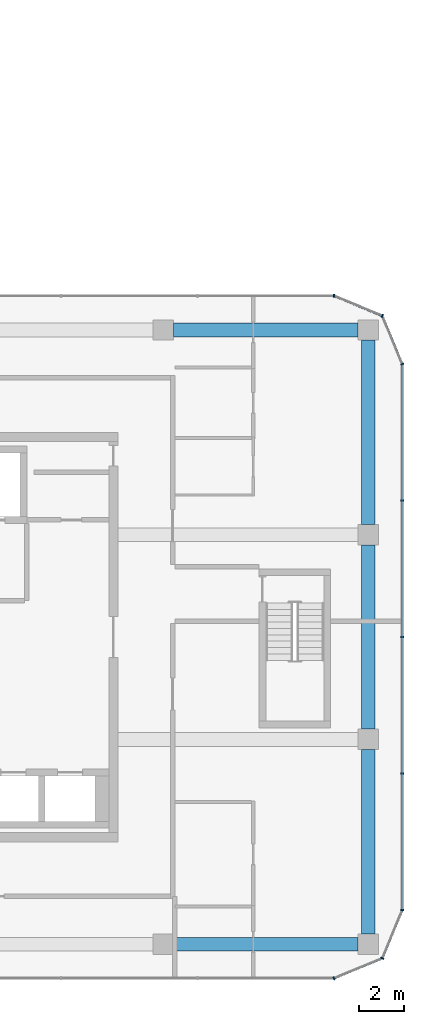
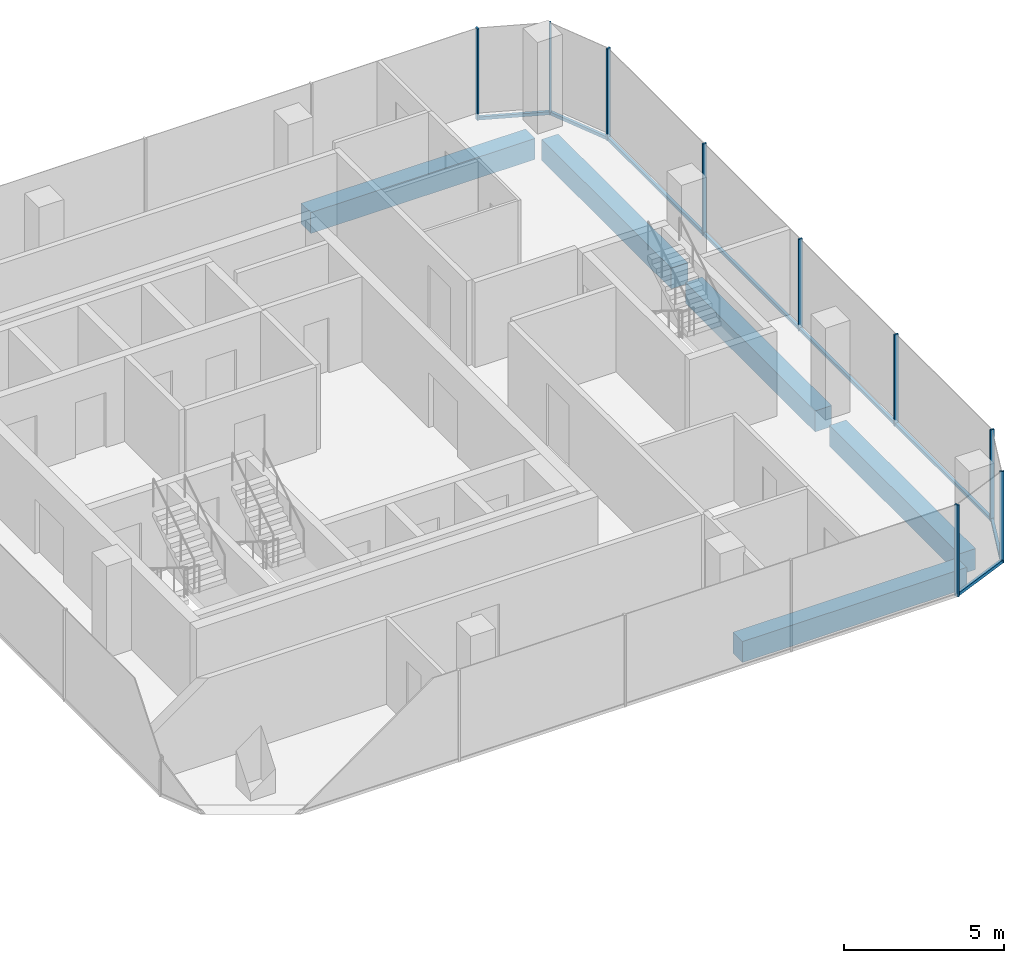
# One storey, part 10 of 23: 14 members, 5 beams, 6 elements without a shape of their own.
"""IFC4 building model written with IfcOpenShell, lengths in metres."""

from ifc_helpers import new_model, si_unit, direction, frame, origin, origin_2d, place, context, subcontext, project, spatial, rectangle, extrude, material, layer, layer_set, material_profile, profile_set, type_object, element, aggregate, save


model = new_model("IFC4")

# Units and contexts
model_context = context("Model", 3, precision=1e-05, world=origin(), true_north=direction((0.0, 1.0)))
body_context = subcontext(model_context, "Body", "Model", "MODEL_VIEW")
ifc_project = project(units=[si_unit("LENGTHUNIT", "METRE"), si_unit("AREAUNIT", "SQUARE_METRE"), si_unit("VOLUMEUNIT", "CUBIC_METRE"), si_unit("PLANEANGLEUNIT", "RADIAN"), si_unit("MASSUNIT", "GRAM", prefix="KILO")], contexts=[model_context])

# Site, building, storey
site_placement = place(None, origin())
site = spatial("IfcSite", under=ifc_project, at=site_placement, CompositionType="ELEMENT")
building_placement = place(site_placement, origin())
building = spatial("IfcBuilding", under=site, at=building_placement, Name="Plateau Cross Towers", CompositionType="ELEMENT")
storey_placement = place(building_placement, frame((0.0, 0.0, 92.300048828125)))
storey = spatial("IfcBuildingStorey", under=building, at=storey_placement, Name="L23", CompositionType="ELEMENT", Elevation=92.300048828125)

# Curtain wall, member
ifc_material_1 = material(Name="Dark low-iron glass", Category="glass")
ifc_layer = layer(ifc_material_1, 0.239990234375)
ifc_layer_set = layer_set([ifc_layer], Name="Dark low-iron glass")
curtain_wall_type = type_object("IfcCurtainWallType", Name="Curtain wall office unitised CW-F", PredefinedType="NOTDEFINED", material=ifc_layer_set)
curtain_wall_1_placement = place(storey_placement, origin())
curtain_wall_1 = element("IfcCurtainWall", 1, at=curtain_wall_1_placement, inside=storey, type_object=curtain_wall_type, Name="ENV/B/L23/B990_-60", PredefinedType="NOTDEFINED")
ifc_material_2 = material(Name="Black anodised aluminium", Category="aluminium")
ifc_material_profile_1 = material_profile(ifc_material_2, rectangle(XDim=0.06005859375, YDim=0.139892578125, at=origin_2d()), Name="MULLION 60x140")
ifc_profile_set_1 = profile_set([ifc_material_profile_1], Name="Black anodised aluminium")
member_type_1 = type_object("IfcMemberType", Name="Mullion 60x140 office unitised", PredefinedType="MULLION", material=ifc_profile_set_1)
member_1_placement = place(storey_placement, frame((99.0, -6.0, -0.25), z_axis=(0.0, 0.0, 1.0), x_axis=(0.923879457699, 0.382683612978, 0.0)))
member_1 = element("IfcMember", 2, at=member_1_placement, type_object=member_type_1, Name="CW-F mullion 1", PredefinedType="MULLION", context=body_context, shape_type="SweptSolid", body=[
    extrude(rectangle(XDim=0.06005859375, YDim=0.139892578125, at=origin_2d()), origin(), (0.0, 0.0, 1.0), 3.5),
])

curtain_wall_2_placement = place(storey_placement, origin())
curtain_wall_2 = element("IfcCurtainWall", 3, at=curtain_wall_2_placement, inside=storey, type_object=curtain_wall_type, Name="ENV/B/L23/B1011_-51", PredefinedType="NOTDEFINED")
member_2_placement = place(storey_placement, frame((101.121337890625, -5.121337890625, -0.25), z_axis=(0.0, 0.0, 1.0), x_axis=(0.382683612978, 0.923879457699, 0.0)))
member_2 = element("IfcMember", 4, at=member_2_placement, type_object=member_type_1, Name="CW-F mullion 1", PredefinedType="MULLION", context=body_context, shape_type="SweptSolid", body=[
    extrude(rectangle(XDim=0.06005859375, YDim=0.139892578125, at=origin_2d()), origin(), (0.0, 0.0, 1.0), 3.5),
])

# Curtain wall, members
curtain_wall_3_placement = place(storey_placement, origin())
curtain_wall_3 = element("IfcCurtainWall", 5, at=curtain_wall_3_placement, inside=storey, type_object=curtain_wall_type, Name="ENV/B/L23/B1020_-30", PredefinedType="NOTDEFINED")
member_3_placement = place(storey_placement, frame((102.0, -3.0, -0.25), z_axis=(0.0, 0.0, 1.0), x_axis=(0.0, 1.0, 0.0)))
member_3 = element("IfcMember", 6, at=member_3_placement, type_object=member_type_1, Name="CW-F mullion 1", PredefinedType="MULLION", context=body_context, shape_type="SweptSolid", body=[
    extrude(rectangle(XDim=0.06005859375, YDim=0.139892578125, at=origin_2d()), origin(), (0.0, 0.0, 1.0), 3.5),
])
member_4_placement = place(storey_placement, frame((102.0, 3.0, -0.25), z_axis=(0.0, 0.0, 1.0), x_axis=(0.0, 1.0, 0.0)))
member_4 = element("IfcMember", 7, at=member_4_placement, type_object=member_type_1, Name="CW-F mullion 2", PredefinedType="MULLION", context=body_context, shape_type="SweptSolid", body=[
    extrude(rectangle(XDim=0.06005859375, YDim=0.139892578125, at=origin_2d()), origin(), (0.0, 0.0, 1.0), 3.5),
])
member_5_placement = place(storey_placement, frame((102.0, 9.0, -0.25), z_axis=(0.0, 0.0, 1.0), x_axis=(0.0, 1.0, 0.0)))
member_5 = element("IfcMember", 8, at=member_5_placement, type_object=member_type_1, Name="CW-F mullion 3", PredefinedType="MULLION", context=body_context, shape_type="SweptSolid", body=[
    extrude(rectangle(XDim=0.06005859375, YDim=0.139892578125, at=origin_2d()), origin(), (0.0, 0.0, 1.0), 3.5),
])
member_6_placement = place(storey_placement, frame((102.0, 15.0, -0.25), z_axis=(0.0, 0.0, 1.0), x_axis=(0.0, 1.0, 0.0)))
member_6 = element("IfcMember", 9, at=member_6_placement, type_object=member_type_1, Name="CW-F mullion 4", PredefinedType="MULLION", context=body_context, shape_type="SweptSolid", body=[
    extrude(rectangle(XDim=0.06005859375, YDim=0.139892578125, at=origin_2d()), origin(), (0.0, 0.0, 1.0), 3.5),
])

# Curtain wall, member
curtain_wall_4_placement = place(storey_placement, origin())
curtain_wall_4 = element("IfcCurtainWall", 10, at=curtain_wall_4_placement, inside=storey, type_object=curtain_wall_type, Name="ENV/B/L23/B1020_210", PredefinedType="NOTDEFINED")
member_7_placement = place(storey_placement, frame((102.0, 21.0, -0.25), z_axis=(0.0, 0.0, 1.0), x_axis=(-0.382683612978, 0.923879457699, 0.0)))
member_7 = element("IfcMember", 11, at=member_7_placement, type_object=member_type_1, Name="CW-F mullion 1", PredefinedType="MULLION", context=body_context, shape_type="SweptSolid", body=[
    extrude(rectangle(XDim=0.06005859375, YDim=0.139892578125, at=origin_2d()), origin(), (0.0, 0.0, 1.0), 3.5),
])

curtain_wall_5_placement = place(storey_placement, origin())
curtain_wall_5 = element("IfcCurtainWall", 12, at=curtain_wall_5_placement, inside=storey, type_object=curtain_wall_type, Name="ENV/B/L23/B1011_231", PredefinedType="NOTDEFINED")
member_8_placement = place(storey_placement, frame((101.121337890625, 23.121337890625, -0.25), z_axis=(0.0, 0.0, 1.0), x_axis=(-0.923879457699, 0.382683612978, 0.0)))
member_8 = element("IfcMember", 13, at=member_8_placement, type_object=member_type_1, Name="CW-F mullion 1", PredefinedType="MULLION", context=body_context, shape_type="SweptSolid", body=[
    extrude(rectangle(XDim=0.06005859375, YDim=0.139892578125, at=origin_2d()), origin(), (0.0, 0.0, 1.0), 3.5),
])

curtain_wall_6_placement = place(storey_placement, origin())
curtain_wall_6 = element("IfcCurtainWall", 14, at=curtain_wall_6_placement, inside=storey, type_object=curtain_wall_type, Name="ENV/B/L23/B990_240", PredefinedType="NOTDEFINED")
member_9_placement = place(storey_placement, frame((99.0, 24.0, -0.25), z_axis=(0.0, 0.0, 1.0), x_axis=(-1.0, 0.0, 0.0)))
member_9 = element("IfcMember", 15, at=member_9_placement, type_object=member_type_1, Name="CW-F mullion 1", PredefinedType="MULLION", context=body_context, shape_type="SweptSolid", body=[
    extrude(rectangle(XDim=0.06005859375, YDim=0.139892578125, at=origin_2d()), origin(), (0.0, 0.0, 1.0), 3.5),
])
aggregate(curtain_wall_6, [member_9])

# Beams
ifc_material_3 = material(Name="Concrete C60/75", Category="concrete")
ifc_material_profile_2 = material_profile(ifc_material_3, rectangle(XDim=0.60009765625, YDim=0.800048828125, at=origin_2d()), Name="RC 600x800")
ifc_profile_set_2 = profile_set([ifc_material_profile_2], Name="Concrete C60/75")
beam_type = type_object("IfcBeamType", Name="Ring beam RC 600x800", PredefinedType="BEAM", material=ifc_profile_set_2)
for number, where, z_axis, x_axis, name in (
    (16, (91.949951171875, -4.5, -0.650146484375), (1.0, 0.0, 0.0), (0.0, 1.0, 0.0), "B-RB02@L23"),
    (17, (100.5, -4.050048828125, -0.650146484375), (0.0, 1.0, 0.0), (-1.0, 0.0, 0.0), "B-RB03@L23"),
    (18, (100.5, 4.949951171875, -0.650146484375), (0.0, 1.0, 0.0), (-1.0, 0.0, 0.0), "B-RB04@L23"),
    (19, (100.5, 13.949951171875, -0.650146484375), (0.0, 1.0, 0.0), (-1.0, 0.0, 0.0), "B-RB05@L23"),
    (20, (100.050048828125, 22.5, -0.650146484375), (-1.0, 0.0, 0.0), (0.0, -1.0, 0.0), "B-RB06@L23"),
):
    element("IfcBeam", number, at=place(storey_placement, frame(where, z_axis=z_axis, x_axis=x_axis)), inside=storey, type_object=beam_type, Name=name, PredefinedType="BEAM", context=body_context, shape_type="SweptSolid", body=[
        extrude(rectangle(XDim=0.60009765625, YDim=0.800048828125, at=origin_2d()), origin(), (0.0, 0.0, 1.0), 8.10009765625),
    ])

# Member
ifc_material_profile_3 = material_profile(ifc_material_2, rectangle(XDim=0.10009765625, YDim=0.1201171875, at=origin_2d()), Name="TRANSOM 100x120")
ifc_profile_set_3 = profile_set([ifc_material_profile_3], Name="Black anodised aluminium")
member_type_2 = type_object("IfcMemberType", Name="Transom 100x120 office unitised", PredefinedType="USERDEFINED", material=ifc_profile_set_3)
member_10_placement = place(storey_placement, frame((99.0, -6.0, -0.18994140625), z_axis=(0.923883353507, 0.382674207535, 0.0), x_axis=(-0.382674207535, 0.923883353507, 0.0)))
member_10 = element("IfcMember", 21, at=member_10_placement, type_object=member_type_2, Name="CW-F transom", ObjectType="TRANSOM", PredefinedType="USERDEFINED", context=body_context, shape_type="SweptSolid", body=[
    extrude(rectangle(XDim=0.10009765625, YDim=0.1201171875, at=origin_2d()), origin(), (0.0, 0.0, 1.0), 2.296142578125),
])

aggregate(curtain_wall_1, [member_1, member_10])

member_11_placement = place(storey_placement, frame((101.121337890625, -5.121337890625, -0.18994140625), z_axis=(0.382674207535, 0.923883353507, 0.0), x_axis=(-0.923883353507, 0.382674207535, 0.0)))
member_11 = element("IfcMember", 22, at=member_11_placement, type_object=member_type_2, Name="CW-F transom", ObjectType="TRANSOM", PredefinedType="USERDEFINED", context=body_context, shape_type="SweptSolid", body=[
    extrude(rectangle(XDim=0.10009765625, YDim=0.1201171875, at=origin_2d()), origin(), (0.0, 0.0, 1.0), 2.296142578125),
])

aggregate(curtain_wall_2, [member_2, member_11])

member_12_placement = place(storey_placement, frame((102.0, -3.0, -0.18994140625), z_axis=(0.0, 1.0, 0.0), x_axis=(-1.0, 0.0, 0.0)))
member_12 = element("IfcMember", 23, at=member_12_placement, type_object=member_type_2, Name="CW-F transom", ObjectType="TRANSOM", PredefinedType="USERDEFINED", context=body_context, shape_type="SweptSolid", body=[
    extrude(rectangle(XDim=0.10009765625, YDim=0.1201171875, at=origin_2d()), origin(), (0.0, 0.0, 1.0), 24.0),
])

aggregate(curtain_wall_3, [member_3, member_4, member_5, member_6, member_12])

member_13_placement = place(storey_placement, frame((102.0, 21.0, -0.18994140625), z_axis=(-0.382674207535, 0.923883353507, 0.0), x_axis=(-0.923883353507, -0.382674207535, 0.0)))
member_13 = element("IfcMember", 24, at=member_13_placement, type_object=member_type_2, Name="CW-F transom", ObjectType="TRANSOM", PredefinedType="USERDEFINED", context=body_context, shape_type="SweptSolid", body=[
    extrude(rectangle(XDim=0.10009765625, YDim=0.1201171875, at=origin_2d()), origin(), (0.0, 0.0, 1.0), 2.296142578125),
])

aggregate(curtain_wall_4, [member_7, member_13])

member_14_placement = place(storey_placement, frame((101.121337890625, 23.121337890625, -0.18994140625), z_axis=(-0.923883353507, 0.382674207535, 0.0), x_axis=(-0.382674207535, -0.923883353507, 0.0)))
member_14 = element("IfcMember", 25, at=member_14_placement, type_object=member_type_2, Name="CW-F transom", ObjectType="TRANSOM", PredefinedType="USERDEFINED", context=body_context, shape_type="SweptSolid", body=[
    extrude(rectangle(XDim=0.10009765625, YDim=0.1201171875, at=origin_2d()), origin(), (0.0, 0.0, 1.0), 2.296142578125),
])

aggregate(curtain_wall_5, [member_8, member_14])

save(model, "model.ifc")
